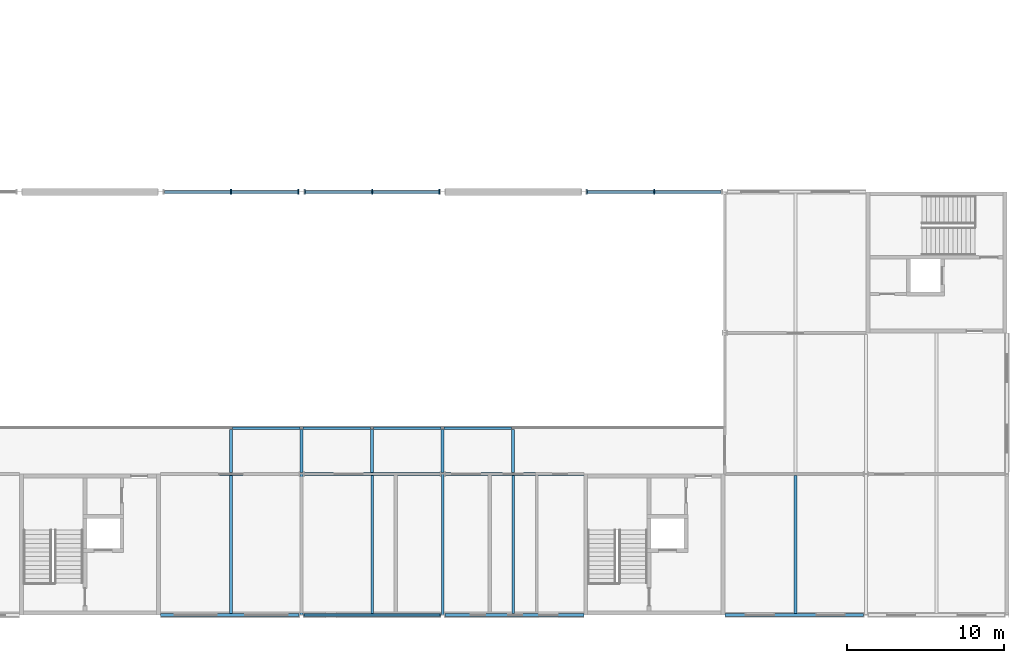
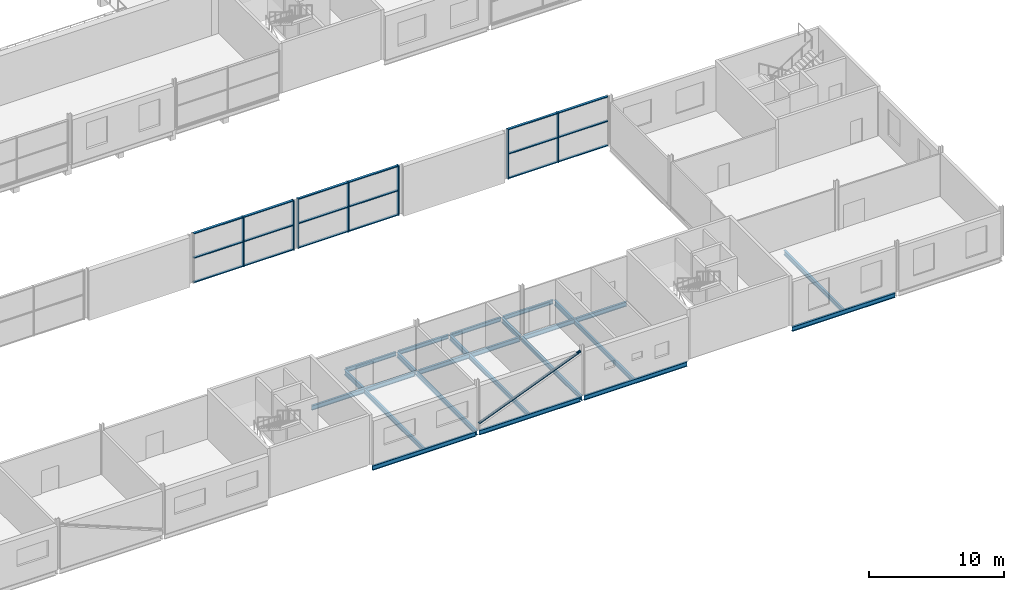
# One storey, part 51 of 97: 26 members, 22 beams, 3 elements without a shape of their own.
"""IFC4 building model written with IfcOpenShell, lengths in metres."""

from ifc_helpers import new_model, si_unit, direction, frame, origin, origin_2d, place, context, subcontext, project, spatial, rectangle, hollow_circle, i_section, extrude, material, layer, layer_set, material_profile, profile_set, type_object, element, aggregate, save


model = new_model("IFC4")

# Units and contexts
model_context = context("Model", 3, precision=1e-05, world=origin(), true_north=direction((0.0, 1.0)))
body_context = subcontext(model_context, "Body", "Model", "MODEL_VIEW")
ifc_project = project(units=[si_unit("LENGTHUNIT", "METRE"), si_unit("AREAUNIT", "SQUARE_METRE"), si_unit("VOLUMEUNIT", "CUBIC_METRE"), si_unit("PLANEANGLEUNIT", "RADIAN"), si_unit("MASSUNIT", "GRAM", prefix="KILO")], contexts=[model_context])

# Site, building, storey
site_placement = place(None, origin())
site = spatial("IfcSite", under=ifc_project, at=site_placement, CompositionType="ELEMENT")
building_placement = place(site_placement, origin())
building = spatial("IfcBuilding", under=site, at=building_placement, Name="Corbel Yard City Hall", CompositionType="ELEMENT")
storey_placement = place(building_placement, frame((0.0, 0.0, 6.0)))
storey = spatial("IfcBuildingStorey", under=building, at=storey_placement, Name="L01", CompositionType="ELEMENT", Elevation=6.0)

# Beams
ifc_material_1 = material(Name="Steel Grade 300 (300 MPa yield)", Category="steel")
ifc_material_profile_1 = material_profile(ifc_material_1, i_section(OverallWidth=0.177978515625, OverallDepth=0.403076171875, WebThickness=0.007568359375, FlangeThickness=0.010986328125, at=origin_2d()), Name="410UB53.7")
ifc_profile_set_1 = profile_set([ifc_material_profile_1], Name="Steel Grade 300 (300 MPa yield)")
beam_type_1 = type_object("IfcBeamType", Name="Beam 410UB53.7", PredefinedType="BEAM", material=ifc_profile_set_1)
for number, where, z_axis, x_axis, name in (
    (1, (135.0, 0.005859375, -0.3515625), (0.0, 1.0, 0.0), (-1.0, 0.0, 0.0), "Beam 410UB53.7 SB6 L01floor"),
    (2, (144.0, 0.005859375, -0.3515625), (0.0, 1.0, 0.0), (-1.0, 0.0, 0.0), "Beam 410UB53.7 SB6 L01floor"),
):
    element("IfcBeam", number, at=place(storey_placement, frame(where, z_axis=z_axis, x_axis=x_axis)), inside=storey, type_object=beam_type_1, Name=name, PredefinedType="BEAM", context=body_context, shape_type="SweptSolid", body=[
        extrude(i_section(OverallWidth=0.177978515625, OverallDepth=0.403076171875, WebThickness=0.007568359375, FlangeThickness=0.010986328125, at=origin_2d()), origin(), (0.0, 0.0, 1.0), 8.986328125),
    ])

# Member
ifc_material_2 = material(Name="Steel Grade C350L0", Category="steel")
ifc_material_profile_2 = material_profile(ifc_material_2, hollow_circle(Radius=0.109619140625, WallThickness=0.00830078125, at=origin_2d()), Name="219.1x8.2CHS")
ifc_profile_set_2 = profile_set([ifc_material_profile_2], Name="Steel Grade C350L0")
member_type_1 = type_object("IfcMemberType", Name="Braced bay diagonal 219.1x8.2CHS", PredefinedType="BRACE", material=ifc_profile_set_2)
member_1_placement = place(storey_placement, frame((135.1298828125, 0.0, 0.5), z_axis=(0.928333553829, 0.0, 0.371748319209), x_axis=(0.0, 1.0, 0.0)))
element("IfcMember", 3, at=member_1_placement, inside=storey, type_object=member_type_1, Name="Brace 219.1x8.2CHS BR2", PredefinedType="BRACE", context=body_context, shape_type="SweptSolid", body=[
    extrude(hollow_circle(Radius=0.109619140625, WallThickness=0.00830078125, at=origin_2d()), origin(), (0.0, 0.0, 1.0), 9.4150390625),
])

# Beams
ifc_material_profile_3 = material_profile(ifc_material_1, i_section(OverallWidth=0.177978515625, OverallDepth=0.406005859375, WebThickness=0.0078125, FlangeThickness=0.0126953125, at=origin_2d()), Name="410UB59.7")
ifc_profile_set_3 = profile_set([ifc_material_profile_3], Name="Steel Grade 300 (300 MPa yield)")
beam_type_2 = type_object("IfcBeamType", Name="Edge beam 410UB59.7", PredefinedType="BEAM", material=ifc_profile_set_3)
beam_1_placement = place(storey_placement, frame((126.0, 0.0, -0.35302734375), z_axis=(1.0, 0.0, 0.0), x_axis=(0.0, 1.0, 0.0)))
element("IfcBeam", 4, at=beam_1_placement, inside=storey, type_object=beam_type_2, Name="Edge beam 410UB59.7 EB2 L01floor", PredefinedType="BEAM", context=body_context, shape_type="SweptSolid", body=[
    extrude(i_section(OverallWidth=0.177978515625, OverallDepth=0.406005859375, WebThickness=0.0078125, FlangeThickness=0.0126953125, at=origin_2d()), origin(), (0.0, 0.0, 1.0), 8.842529296875),
])
beam_2_placement = place(storey_placement, frame((135.157470703125, 0.0, -0.35302734375), z_axis=(1.0, 0.0, 0.0), x_axis=(0.0, 1.0, 0.0)))
element("IfcBeam", 5, at=beam_2_placement, inside=storey, type_object=beam_type_2, Name="Edge beam 410UB59.7 EB2 L01floor", PredefinedType="BEAM", context=body_context, shape_type="SweptSolid", body=[
    extrude(i_section(OverallWidth=0.177978515625, OverallDepth=0.406005859375, WebThickness=0.0078125, FlangeThickness=0.0126953125, at=origin_2d()), origin(), (0.0, 0.0, 1.0), 8.68505859375),
])
for number, where, z_axis, x_axis, name in (
    (6, (144.157470703125, 0.0, -0.35302734375), (1.0, 0.0, 0.0), (0.0, 1.0, 0.0), "Edge beam 410UB59.7 EB2 L01floor"),
    (7, (162.0, 0.0, -0.35302734375), (1.0, 0.0, 0.0), (0.0, 1.0, 0.0), "Edge beam 410UB59.7 EB2 L01floor"),
):
    element("IfcBeam", number, at=place(storey_placement, frame(where, z_axis=z_axis, x_axis=x_axis)), inside=storey, type_object=beam_type_2, Name=name, PredefinedType="BEAM", context=body_context, shape_type="SweptSolid", body=[
        extrude(i_section(OverallWidth=0.177978515625, OverallDepth=0.406005859375, WebThickness=0.0078125, FlangeThickness=0.0126953125, at=origin_2d()), origin(), (0.0, 0.0, 1.0), 8.842529296875),
    ])
beam_3_placement = place(storey_placement, frame((126.0, 9.0, -0.35302734375), z_axis=(1.0, 0.0, 0.0), x_axis=(0.0, 1.0, 0.0)))
element("IfcBeam", 8, at=beam_3_placement, inside=storey, type_object=beam_type_2, Name="Edge beam 410UB59.7 EB2 L01floor", PredefinedType="BEAM", context=body_context, shape_type="SweptSolid", body=[
    extrude(i_section(OverallWidth=0.177978515625, OverallDepth=0.406005859375, WebThickness=0.0078125, FlangeThickness=0.0126953125, at=origin_2d()), origin(), (0.0, 0.0, 1.0), 8.83642578125),
])
beam_4_placement = place(storey_placement, frame((135.16357421875, 9.0, -0.35302734375), z_axis=(1.0, 0.0, 0.0), x_axis=(0.0, 1.0, 0.0)))
element("IfcBeam", 9, at=beam_4_placement, inside=storey, type_object=beam_type_2, Name="Edge beam 410UB59.7 EB2 L01floor", PredefinedType="BEAM", context=body_context, shape_type="SweptSolid", body=[
    extrude(i_section(OverallWidth=0.177978515625, OverallDepth=0.406005859375, WebThickness=0.0078125, FlangeThickness=0.0126953125, at=origin_2d()), origin(), (0.0, 0.0, 1.0), 8.6728515625),
])
beam_5_placement = place(storey_placement, frame((144.16357421875, 9.0, -0.35302734375), z_axis=(1.0, 0.0, 0.0), x_axis=(0.0, 1.0, 0.0)))
element("IfcBeam", 10, at=beam_5_placement, inside=storey, type_object=beam_type_2, Name="Edge beam 410UB59.7 EB2 L01floor", PredefinedType="BEAM", context=body_context, shape_type="SweptSolid", body=[
    extrude(i_section(OverallWidth=0.177978515625, OverallDepth=0.406005859375, WebThickness=0.0078125, FlangeThickness=0.0126953125, at=origin_2d()), origin(), (0.0, 0.0, 1.0), 8.83642578125),
])
ifc_material_profile_4 = material_profile(ifc_material_1, i_section(OverallWidth=0.18994140625, OverallDepth=0.4541015625, WebThickness=0.008544921875, FlangeThickness=0.0126953125, at=origin_2d()), Name="460UB67.1")
ifc_profile_set_4 = profile_set([ifc_material_profile_4], Name="Steel Grade 300 (300 MPa yield)")
beam_type_3 = type_object("IfcBeamType", Name="Gallery bracket 460UB67.1", PredefinedType="BEAM", material=ifc_profile_set_4)
for number, where, z_axis, x_axis, name in (
    (11, (130.5, 9.089111328125, -0.376953125), (0.0, 1.0, 0.0), (-1.0, 0.0, 0.0), "Gallery bracket 460UB67.1 CB2 L01"),
    (12, (135.0, 9.089111328125, -0.376953125), (0.0, 1.0, 0.0), (-1.0, 0.0, 0.0), "Gallery bracket 460UB67.1 CB2 L01"),
    (13, (139.5, 9.089111328125, -0.376953125), (0.0, 1.0, 0.0), (-1.0, 0.0, 0.0), "Gallery bracket 460UB67.1 CB2 L01"),
    (14, (144.0, 9.089111328125, -0.376953125), (0.0, 1.0, 0.0), (-1.0, 0.0, 0.0), "Gallery bracket 460UB67.1 CB2 L01"),
    (15, (148.5, 9.089111328125, -0.376953125), (0.0, 1.0, 0.0), (-1.0, 0.0, 0.0), "Gallery bracket 460UB67.1 CB2 L01"),
):
    element("IfcBeam", number, at=place(storey_placement, frame(where, z_axis=z_axis, x_axis=x_axis)), inside=storey, type_object=beam_type_3, Name=name, PredefinedType="BEAM", context=body_context, shape_type="SweptSolid", body=[
        extrude(i_section(OverallWidth=0.18994140625, OverallDepth=0.4541015625, WebThickness=0.008544921875, FlangeThickness=0.0126953125, at=origin_2d()), origin(), (0.0, 0.0, 1.0), 2.739990234375),
    ])
ifc_material_profile_5 = material_profile(ifc_material_1, i_section(OverallWidth=0.1708984375, OverallDepth=0.35205078125, WebThickness=0.0068359375, FlangeThickness=0.009765625, at=origin_2d()), Name="360UB44.7")
ifc_profile_set_5 = profile_set([ifc_material_profile_5], Name="Steel Grade 300 (300 MPa yield)")
beam_type_4 = type_object("IfcBeamType", Name="Gallery edge beam 360UB44.7", PredefinedType="BEAM", material=ifc_profile_set_5)
for number, where, z_axis, x_axis, name in (
    (16, (130.594970703125, 11.91455078125, -0.325927734375), (1.0, 0.0, 0.0), (0.0, 1.0, 0.0), "Gallery edge beam 360UB44.7 EB13 L01"),
    (17, (135.094970703125, 11.91455078125, -0.325927734375), (1.0, 0.0, 0.0), (0.0, 1.0, 0.0), "Gallery edge beam 360UB44.7 EB13 L01"),
    (18, (139.594970703125, 11.91455078125, -0.325927734375), (1.0, 0.0, 0.0), (0.0, 1.0, 0.0), "Gallery edge beam 360UB44.7 EB13 L01"),
    (19, (144.094970703125, 11.91455078125, -0.325927734375), (1.0, 0.0, 0.0), (0.0, 1.0, 0.0), "Gallery edge beam 360UB44.7 EB13 L01"),
):
    element("IfcBeam", number, at=place(storey_placement, frame(where, z_axis=z_axis, x_axis=x_axis)), inside=storey, type_object=beam_type_4, Name=name, PredefinedType="BEAM", context=body_context, shape_type="SweptSolid", body=[
        extrude(i_section(OverallWidth=0.1708984375, OverallDepth=0.35205078125, WebThickness=0.0068359375, FlangeThickness=0.009765625, at=origin_2d()), origin(), (0.0, 0.0, 1.0), 4.31005859375),
    ])

# Curtain wall, members
ifc_material_3 = material(Name="Aluminium extrusion", Category="aluminium")
ifc_layer = layer(ifc_material_3, 0.300048828125)
ifc_layer_set = layer_set([ifc_layer], Name="Aluminium extrusion")
curtain_wall_type = type_object("IfcCurtainWallType", Name="CW7", PredefinedType="USERDEFINED", material=ifc_layer_set)
curtain_wall_1_placement = place(storey_placement, origin())
curtain_wall_1 = element("IfcCurtainWall", 20, at=curtain_wall_1_placement, inside=storey, type_object=curtain_wall_type, Name="Curtain wall CW7 L01", ObjectType="CURTAIN WALL", PredefinedType="USERDEFINED")
ifc_material_profile_6 = material_profile(ifc_material_3, rectangle(XDim=0.300048828125, YDim=0.080078125, at=origin_2d()), Name="300x80")
ifc_profile_set_6 = profile_set([ifc_material_profile_6], Name="Aluminium extrusion")
member_type_2 = type_object("IfcMemberType", Name="ML7", PredefinedType="MULLION", material=ifc_profile_set_6)
member_2_placement = place(storey_placement, frame((130.5, 27.0, 0.0), z_axis=(0.0, 0.0, 1.0), x_axis=(0.0, 1.0, 0.0)))
member_2 = element("IfcMember", 21, at=member_2_placement, type_object=member_type_2, Name="CW7 mullion 2", PredefinedType="MULLION", context=body_context, shape_type="SweptSolid", body=[
    extrude(rectangle(XDim=0.300048828125, YDim=0.080078125, at=origin_2d()), origin(), (0.0, 0.0, 1.0), 4.5),
])
member_3_placement = place(storey_placement, frame((134.802490234375, 27.0, 0.0), z_axis=(0.0, 0.0, 1.0), x_axis=(0.0, 1.0, 0.0)))
member_3 = element("IfcMember", 22, at=member_3_placement, type_object=member_type_2, Name="CW7 mullion 3", PredefinedType="MULLION", context=body_context, shape_type="SweptSolid", body=[
    extrude(rectangle(XDim=0.300048828125, YDim=0.080078125, at=origin_2d()), origin(), (0.0, 0.0, 1.0), 4.5),
])

curtain_wall_2_placement = place(storey_placement, origin())
curtain_wall_2 = element("IfcCurtainWall", 23, at=curtain_wall_2_placement, inside=storey, type_object=curtain_wall_type, Name="Curtain wall CW7 L01", ObjectType="CURTAIN WALL", PredefinedType="USERDEFINED")
member_4_placement = place(storey_placement, frame((135.197509765625, 27.0, 0.0), z_axis=(0.0, 0.0, 1.0), x_axis=(0.0, 1.0, 0.0)))
member_4 = element("IfcMember", 24, at=member_4_placement, type_object=member_type_2, Name="CW7 mullion 1", PredefinedType="MULLION", context=body_context, shape_type="SweptSolid", body=[
    extrude(rectangle(XDim=0.300048828125, YDim=0.080078125, at=origin_2d()), origin(), (0.0, 0.0, 1.0), 4.5),
])
member_5_placement = place(storey_placement, frame((139.5, 27.0, 0.0), z_axis=(0.0, 0.0, 1.0), x_axis=(0.0, 1.0, 0.0)))
member_5 = element("IfcMember", 25, at=member_5_placement, type_object=member_type_2, Name="CW7 mullion 2", PredefinedType="MULLION", context=body_context, shape_type="SweptSolid", body=[
    extrude(rectangle(XDim=0.300048828125, YDim=0.080078125, at=origin_2d()), origin(), (0.0, 0.0, 1.0), 4.5),
])
member_6_placement = place(storey_placement, frame((143.802490234375, 27.0, 0.0), z_axis=(0.0, 0.0, 1.0), x_axis=(0.0, 1.0, 0.0)))
member_6 = element("IfcMember", 26, at=member_6_placement, type_object=member_type_2, Name="CW7 mullion 3", PredefinedType="MULLION", context=body_context, shape_type="SweptSolid", body=[
    extrude(rectangle(XDim=0.300048828125, YDim=0.080078125, at=origin_2d()), origin(), (0.0, 0.0, 1.0), 4.5),
])

curtain_wall_3_placement = place(storey_placement, origin())
curtain_wall_3 = element("IfcCurtainWall", 27, at=curtain_wall_3_placement, inside=storey, type_object=curtain_wall_type, Name="Curtain wall CW7 L01", ObjectType="CURTAIN WALL", PredefinedType="USERDEFINED")
member_7_placement = place(storey_placement, frame((153.197509765625, 27.0, 0.0), z_axis=(0.0, 0.0, 1.0), x_axis=(0.0, 1.0, 0.0)))
member_7 = element("IfcMember", 28, at=member_7_placement, type_object=member_type_2, Name="CW7 mullion 1", PredefinedType="MULLION", context=body_context, shape_type="SweptSolid", body=[
    extrude(rectangle(XDim=0.300048828125, YDim=0.080078125, at=origin_2d()), origin(), (0.0, 0.0, 1.0), 4.5),
])
member_8_placement = place(storey_placement, frame((157.5, 27.0, 0.0), z_axis=(0.0, 0.0, 1.0), x_axis=(0.0, 1.0, 0.0)))
member_8 = element("IfcMember", 29, at=member_8_placement, type_object=member_type_2, Name="CW7 mullion 2", PredefinedType="MULLION", context=body_context, shape_type="SweptSolid", body=[
    extrude(rectangle(XDim=0.300048828125, YDim=0.080078125, at=origin_2d()), origin(), (0.0, 0.0, 1.0), 4.5),
])

# Beams
ifc_material_profile_7 = material_profile(ifc_material_1, i_section(OverallWidth=0.177978515625, OverallDepth=0.403076171875, WebThickness=0.007568359375, FlangeThickness=0.010986328125, at=origin_2d()), Name="410UB53.7")
ifc_profile_set_7 = profile_set([ifc_material_profile_7], Name="Steel Grade 300 (300 MPa yield)")
beam_type_5 = type_object("IfcBeamType", Name="Secondary beam 410UB53.7", PredefinedType="JOIST", material=ifc_profile_set_7)
for number, where, z_axis, x_axis, name in (
    (30, (130.5, 0.089111328125, -0.3515625), (0.0, 1.0, 0.0), (-1.0, 0.0, 0.0), "Secondary beam 410UB53.7 SB5 L01floor"),
    (31, (139.5, 0.089111328125, -0.3515625), (0.0, 1.0, 0.0), (-1.0, 0.0, 0.0), "Secondary beam 410UB53.7 SB5 L01floor"),
    (32, (148.5, 0.089111328125, -0.3515625), (0.0, 1.0, 0.0), (-1.0, 0.0, 0.0), "Secondary beam 410UB53.7 SB5 L01floor"),
):
    element("IfcBeam", number, at=place(storey_placement, frame(where, z_axis=z_axis, x_axis=x_axis)), inside=storey, type_object=beam_type_5, Name=name, PredefinedType="JOIST", context=body_context, shape_type="SweptSolid", body=[
        extrude(i_section(OverallWidth=0.177978515625, OverallDepth=0.403076171875, WebThickness=0.007568359375, FlangeThickness=0.010986328125, at=origin_2d()), origin(), (0.0, 0.0, 1.0), 8.82177734375),
    ])
beam_6_placement = place(storey_placement, frame((166.5, 0.089111328125, -0.3515625), z_axis=(0.0, 1.0, 0.0), x_axis=(-1.0, 0.0, 0.0)))
element("IfcBeam", 33, at=beam_6_placement, inside=storey, type_object=beam_type_5, Name="Secondary beam 410UB53.7 SB5 L01floor", PredefinedType="JOIST", context=body_context, shape_type="SweptSolid", body=[
    extrude(i_section(OverallWidth=0.177978515625, OverallDepth=0.403076171875, WebThickness=0.007568359375, FlangeThickness=0.010986328125, at=origin_2d()), origin(), (0.0, 0.0, 1.0), 8.806396484375),
])

# Member
ifc_material_profile_8 = material_profile(ifc_material_3, rectangle(XDim=0.199951171875, YDim=0.080078125, at=origin_2d()), Name="200x80")
ifc_profile_set_8 = profile_set([ifc_material_profile_8], Name="Aluminium extrusion")
member_type_3 = type_object("IfcMemberType", Name="TR7", PredefinedType="USERDEFINED", material=ifc_profile_set_8)
member_9_placement = place(storey_placement, frame((126.237548828125, 27.0, 0.0400390625), z_axis=(1.0, 0.0, 0.0), x_axis=(0.0, 1.0, 0.0)))
member_9 = element("IfcMember", 34, at=member_9_placement, type_object=member_type_3, Name="CW7 transom 1.1", ObjectType="TRANSOM", PredefinedType="USERDEFINED", context=body_context, shape_type="SweptSolid", body=[
    extrude(rectangle(XDim=0.199951171875, YDim=0.080078125, at=origin_2d()), origin(), (0.0, 0.0, 1.0), 4.222412109375),
])

member_10_placement = place(storey_placement, frame((126.237548828125, 27.0, 2.25), z_axis=(1.0, 0.0, 0.0), x_axis=(0.0, 1.0, 0.0)))
member_10 = element("IfcMember", 35, at=member_10_placement, type_object=member_type_3, Name="CW7 transom 1.2", ObjectType="TRANSOM", PredefinedType="USERDEFINED", context=body_context, shape_type="SweptSolid", body=[
    extrude(rectangle(XDim=0.199951171875, YDim=0.080078125, at=origin_2d()), origin(), (0.0, 0.0, 1.0), 4.222412109375),
])

member_11_placement = place(storey_placement, frame((126.237548828125, 27.0, 4.4599609375), z_axis=(1.0, 0.0, 0.0), x_axis=(0.0, 1.0, 0.0)))
member_11 = element("IfcMember", 36, at=member_11_placement, type_object=member_type_3, Name="CW7 transom 1.3", ObjectType="TRANSOM", PredefinedType="USERDEFINED", context=body_context, shape_type="SweptSolid", body=[
    extrude(rectangle(XDim=0.199951171875, YDim=0.080078125, at=origin_2d()), origin(), (0.0, 0.0, 1.0), 4.222412109375),
])

member_12_placement = place(storey_placement, frame((130.5400390625, 27.0, 0.0400390625), z_axis=(1.0, 0.0, 0.0), x_axis=(0.0, 1.0, 0.0)))
member_12 = element("IfcMember", 37, at=member_12_placement, type_object=member_type_3, Name="CW7 transom 2.1", ObjectType="TRANSOM", PredefinedType="USERDEFINED", context=body_context, shape_type="SweptSolid", body=[
    extrude(rectangle(XDim=0.199951171875, YDim=0.080078125, at=origin_2d()), origin(), (0.0, 0.0, 1.0), 4.222412109375),
])

member_13_placement = place(storey_placement, frame((130.5400390625, 27.0, 2.25), z_axis=(1.0, 0.0, 0.0), x_axis=(0.0, 1.0, 0.0)))
member_13 = element("IfcMember", 38, at=member_13_placement, type_object=member_type_3, Name="CW7 transom 2.2", ObjectType="TRANSOM", PredefinedType="USERDEFINED", context=body_context, shape_type="SweptSolid", body=[
    extrude(rectangle(XDim=0.199951171875, YDim=0.080078125, at=origin_2d()), origin(), (0.0, 0.0, 1.0), 4.222412109375),
])

member_14_placement = place(storey_placement, frame((130.5400390625, 27.0, 4.4599609375), z_axis=(1.0, 0.0, 0.0), x_axis=(0.0, 1.0, 0.0)))
member_14 = element("IfcMember", 39, at=member_14_placement, type_object=member_type_3, Name="CW7 transom 2.3", ObjectType="TRANSOM", PredefinedType="USERDEFINED", context=body_context, shape_type="SweptSolid", body=[
    extrude(rectangle(XDim=0.199951171875, YDim=0.080078125, at=origin_2d()), origin(), (0.0, 0.0, 1.0), 4.222412109375),
])

aggregate(curtain_wall_1, [member_2, member_3, member_9, member_10, member_11, member_12, member_13, member_14])

member_15_placement = place(storey_placement, frame((135.237548828125, 27.0, 0.0400390625), z_axis=(1.0, 0.0, 0.0), x_axis=(0.0, 1.0, 0.0)))
member_15 = element("IfcMember", 40, at=member_15_placement, type_object=member_type_3, Name="CW7 transom 1.1", ObjectType="TRANSOM", PredefinedType="USERDEFINED", context=body_context, shape_type="SweptSolid", body=[
    extrude(rectangle(XDim=0.199951171875, YDim=0.080078125, at=origin_2d()), origin(), (0.0, 0.0, 1.0), 4.222412109375),
])

member_16_placement = place(storey_placement, frame((135.237548828125, 27.0, 2.25), z_axis=(1.0, 0.0, 0.0), x_axis=(0.0, 1.0, 0.0)))
member_16 = element("IfcMember", 41, at=member_16_placement, type_object=member_type_3, Name="CW7 transom 1.2", ObjectType="TRANSOM", PredefinedType="USERDEFINED", context=body_context, shape_type="SweptSolid", body=[
    extrude(rectangle(XDim=0.199951171875, YDim=0.080078125, at=origin_2d()), origin(), (0.0, 0.0, 1.0), 4.222412109375),
])

member_17_placement = place(storey_placement, frame((135.237548828125, 27.0, 4.4599609375), z_axis=(1.0, 0.0, 0.0), x_axis=(0.0, 1.0, 0.0)))
member_17 = element("IfcMember", 42, at=member_17_placement, type_object=member_type_3, Name="CW7 transom 1.3", ObjectType="TRANSOM", PredefinedType="USERDEFINED", context=body_context, shape_type="SweptSolid", body=[
    extrude(rectangle(XDim=0.199951171875, YDim=0.080078125, at=origin_2d()), origin(), (0.0, 0.0, 1.0), 4.222412109375),
])

member_18_placement = place(storey_placement, frame((139.5400390625, 27.0, 0.0400390625), z_axis=(1.0, 0.0, 0.0), x_axis=(0.0, 1.0, 0.0)))
member_18 = element("IfcMember", 43, at=member_18_placement, type_object=member_type_3, Name="CW7 transom 2.1", ObjectType="TRANSOM", PredefinedType="USERDEFINED", context=body_context, shape_type="SweptSolid", body=[
    extrude(rectangle(XDim=0.199951171875, YDim=0.080078125, at=origin_2d()), origin(), (0.0, 0.0, 1.0), 4.222412109375),
])

member_19_placement = place(storey_placement, frame((139.5400390625, 27.0, 2.25), z_axis=(1.0, 0.0, 0.0), x_axis=(0.0, 1.0, 0.0)))
member_19 = element("IfcMember", 44, at=member_19_placement, type_object=member_type_3, Name="CW7 transom 2.2", ObjectType="TRANSOM", PredefinedType="USERDEFINED", context=body_context, shape_type="SweptSolid", body=[
    extrude(rectangle(XDim=0.199951171875, YDim=0.080078125, at=origin_2d()), origin(), (0.0, 0.0, 1.0), 4.222412109375),
])

member_20_placement = place(storey_placement, frame((139.5400390625, 27.0, 4.4599609375), z_axis=(1.0, 0.0, 0.0), x_axis=(0.0, 1.0, 0.0)))
member_20 = element("IfcMember", 45, at=member_20_placement, type_object=member_type_3, Name="CW7 transom 2.3", ObjectType="TRANSOM", PredefinedType="USERDEFINED", context=body_context, shape_type="SweptSolid", body=[
    extrude(rectangle(XDim=0.199951171875, YDim=0.080078125, at=origin_2d()), origin(), (0.0, 0.0, 1.0), 4.222412109375),
])

aggregate(curtain_wall_2, [member_4, member_5, member_6, member_15, member_16, member_17, member_18, member_19, member_20])

member_21_placement = place(storey_placement, frame((153.237548828125, 27.0, 0.0400390625), z_axis=(1.0, 0.0, 0.0), x_axis=(0.0, 1.0, 0.0)))
member_21 = element("IfcMember", 46, at=member_21_placement, type_object=member_type_3, Name="CW7 transom 1.1", ObjectType="TRANSOM", PredefinedType="USERDEFINED", context=body_context, shape_type="SweptSolid", body=[
    extrude(rectangle(XDim=0.199951171875, YDim=0.080078125, at=origin_2d()), origin(), (0.0, 0.0, 1.0), 4.222412109375),
])

member_22_placement = place(storey_placement, frame((153.237548828125, 27.0, 2.25), z_axis=(1.0, 0.0, 0.0), x_axis=(0.0, 1.0, 0.0)))
member_22 = element("IfcMember", 47, at=member_22_placement, type_object=member_type_3, Name="CW7 transom 1.2", ObjectType="TRANSOM", PredefinedType="USERDEFINED", context=body_context, shape_type="SweptSolid", body=[
    extrude(rectangle(XDim=0.199951171875, YDim=0.080078125, at=origin_2d()), origin(), (0.0, 0.0, 1.0), 4.222412109375),
])

member_23_placement = place(storey_placement, frame((153.237548828125, 27.0, 4.4599609375), z_axis=(1.0, 0.0, 0.0), x_axis=(0.0, 1.0, 0.0)))
member_23 = element("IfcMember", 48, at=member_23_placement, type_object=member_type_3, Name="CW7 transom 1.3", ObjectType="TRANSOM", PredefinedType="USERDEFINED", context=body_context, shape_type="SweptSolid", body=[
    extrude(rectangle(XDim=0.199951171875, YDim=0.080078125, at=origin_2d()), origin(), (0.0, 0.0, 1.0), 4.222412109375),
])

member_24_placement = place(storey_placement, frame((157.5400390625, 27.0, 0.0400390625), z_axis=(1.0, 0.0, 0.0), x_axis=(0.0, 1.0, 0.0)))
member_24 = element("IfcMember", 49, at=member_24_placement, type_object=member_type_3, Name="CW7 transom 2.1", ObjectType="TRANSOM", PredefinedType="USERDEFINED", context=body_context, shape_type="SweptSolid", body=[
    extrude(rectangle(XDim=0.199951171875, YDim=0.080078125, at=origin_2d()), origin(), (0.0, 0.0, 1.0), 4.222412109375),
])

member_25_placement = place(storey_placement, frame((157.5400390625, 27.0, 2.25), z_axis=(1.0, 0.0, 0.0), x_axis=(0.0, 1.0, 0.0)))
member_25 = element("IfcMember", 50, at=member_25_placement, type_object=member_type_3, Name="CW7 transom 2.2", ObjectType="TRANSOM", PredefinedType="USERDEFINED", context=body_context, shape_type="SweptSolid", body=[
    extrude(rectangle(XDim=0.199951171875, YDim=0.080078125, at=origin_2d()), origin(), (0.0, 0.0, 1.0), 4.222412109375),
])

member_26_placement = place(storey_placement, frame((157.5400390625, 27.0, 4.4599609375), z_axis=(1.0, 0.0, 0.0), x_axis=(0.0, 1.0, 0.0)))
member_26 = element("IfcMember", 51, at=member_26_placement, type_object=member_type_3, Name="CW7 transom 2.3", ObjectType="TRANSOM", PredefinedType="USERDEFINED", context=body_context, shape_type="SweptSolid", body=[
    extrude(rectangle(XDim=0.199951171875, YDim=0.080078125, at=origin_2d()), origin(), (0.0, 0.0, 1.0), 4.222412109375),
])

aggregate(curtain_wall_3, [member_7, member_8, member_21, member_22, member_23, member_24, member_25, member_26])

save(model, "model.ifc")
